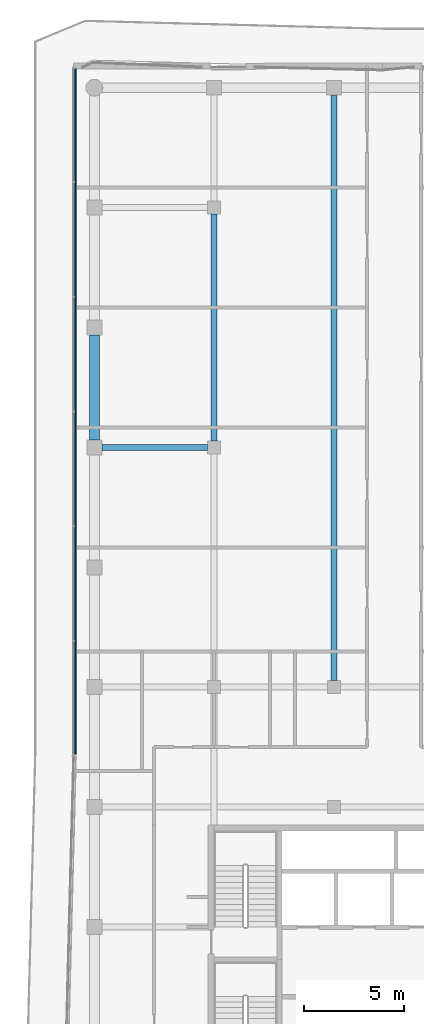
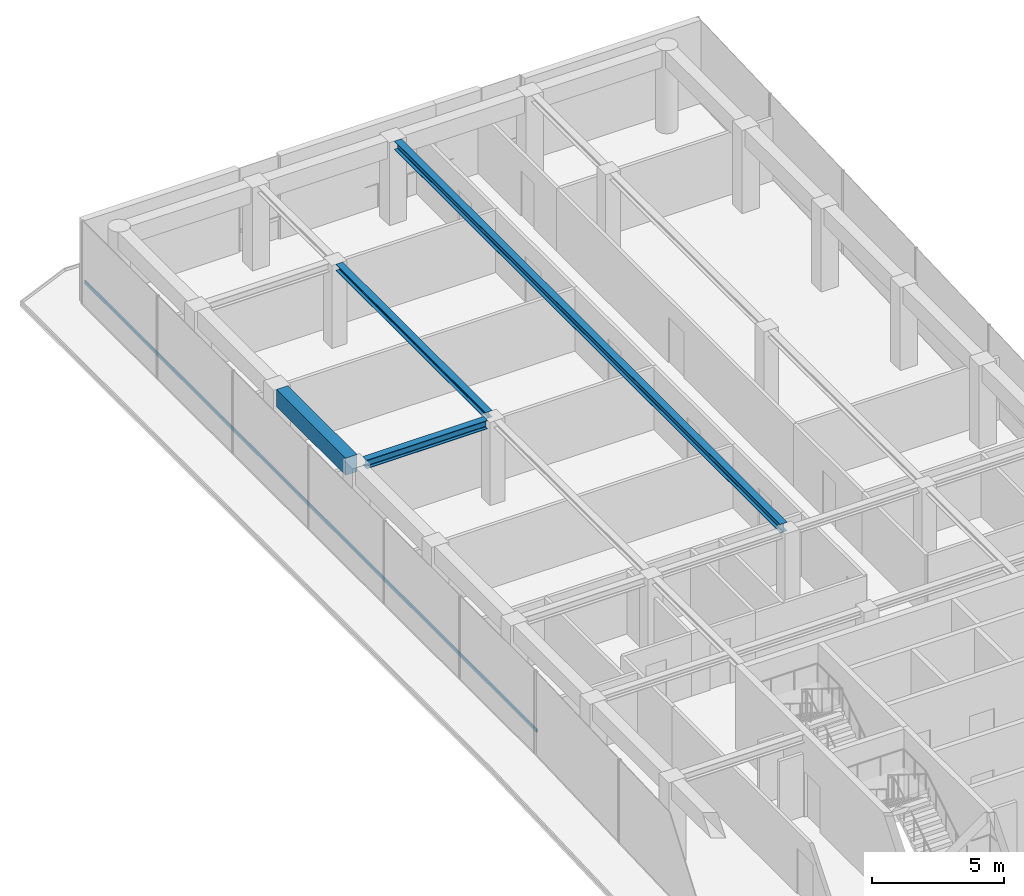
# One storey, part 9 of 18: 4 beams, 1 member, 1 element without a shape of its own.
"""IFC4 building model written with IfcOpenShell, lengths in metres."""

from ifc_helpers import new_model, si_unit, direction, frame, origin, origin_2d, place, context, subcontext, project, spatial, rectangle, i_section, extrude, material, layer, layer_set, material_profile, profile_set, type_object, element, aggregate, save


model = new_model("IFC4")

# Units and contexts
model_context = context("Model", 3, precision=1e-05, world=origin(), true_north=direction((0.0, 1.0)))
body_context = subcontext(model_context, "Body", "Model", "MODEL_VIEW")
ifc_project = project(units=[si_unit("LENGTHUNIT", "METRE"), si_unit("AREAUNIT", "SQUARE_METRE"), si_unit("VOLUMEUNIT", "CUBIC_METRE"), si_unit("PLANEANGLEUNIT", "RADIAN"), si_unit("MASSUNIT", "GRAM", prefix="KILO")], contexts=[model_context])

# Site, building, storey
site_placement = place(None, origin())
site = spatial("IfcSite", under=ifc_project, at=site_placement, CompositionType="ELEMENT")
building_placement = place(site_placement, origin())
building = spatial("IfcBuilding", under=site, at=building_placement, Name="Welwitschia Terrace Campus", CompositionType="ELEMENT")
storey_placement = place(building_placement, frame((0.0, 0.0, 281.0)))
storey = spatial("IfcBuildingStorey", under=building, at=storey_placement, Name="L62", CompositionType="ELEMENT", Elevation=281.0)

# Beams
ifc_material_1 = material(Name="Steel S355", Category="steel")
ifc_material_profile_1 = material_profile(ifc_material_1, i_section(OverallWidth=0.300048828125, OverallDepth=0.300048828125, WebThickness=0.010986328125, FlangeThickness=0.01904296875, FilletRadius=0.027099609375, at=origin_2d()))
ifc_profile_set_1 = profile_set([ifc_material_profile_1], Name="Steel S355")
beam_type_1 = type_object("IfcBeamType", Name="Interior girder HE 300 B", PredefinedType="BEAM", material=ifc_profile_set_1)
beam_1_placement = place(storey_placement, frame((6.0, 44.325439453125, 3.699951171875), z_axis=(0.0, 1.0, 0.0), x_axis=(-1.0, 0.0, 0.0)))
element("IfcBeam", 1, at=beam_1_placement, inside=storey, type_object=beam_type_1, Name="Girder GB6", PredefinedType="BEAM", context=body_context, shape_type="SweptSolid", body=[
    extrude(i_section(OverallWidth=0.300048828125, OverallDepth=0.300048828125, WebThickness=0.010986328125, FlangeThickness=0.01904296875, FilletRadius=0.027099609375, at=origin_2d()), origin(), (0.0, 0.0, 1.0), 11.34912109375),
])
ifc_material_2 = material(Name="Steel S355", Category="steel")
ifc_material_profile_2 = material_profile(ifc_material_2, i_section(OverallWidth=0.300048828125, OverallDepth=0.39990234375, WebThickness=0.013427734375, FlangeThickness=0.02392578125, FilletRadius=0.027099609375, at=origin_2d()))
ifc_profile_set_2 = profile_set([ifc_material_profile_2], Name="Steel S355")
beam_type_2 = type_object("IfcBeamType", Name="Primary beam HE 400 B", PredefinedType="BEAM", material=ifc_profile_set_2)
beam_2_placement = place(storey_placement, frame((12.0, 61.62451171875, 3.64990234375), z_axis=(0.0, -1.0, 0.0), x_axis=(1.0, 0.0, 0.0)))
element("IfcBeam", 2, at=beam_2_placement, inside=storey, type_object=beam_type_2, Name="Primary beam PB6", PredefinedType="BEAM", context=body_context, shape_type="SweptSolid", body=[
    extrude(i_section(OverallWidth=0.300048828125, OverallDepth=0.39990234375, WebThickness=0.013427734375, FlangeThickness=0.02392578125, FilletRadius=0.027099609375, at=origin_2d()), origin(), (0.0, 0.0, 1.0), 29.299072265625),
])
beam_3_placement = place(storey_placement, frame((0.37548828125, 44.0, 3.64990234375), z_axis=(1.0, 0.0, 0.0), x_axis=(0.0, 1.0, 0.0)))
element("IfcBeam", 3, at=beam_3_placement, inside=storey, type_object=beam_type_2, Name="Primary beam PB6", PredefinedType="BEAM", context=body_context, shape_type="SweptSolid", body=[
    extrude(i_section(OverallWidth=0.300048828125, OverallDepth=0.39990234375, WebThickness=0.013427734375, FlangeThickness=0.02392578125, FilletRadius=0.027099609375, at=origin_2d()), origin(), (0.0, 0.0, 1.0), 5.299072265625),
])
ifc_material_3 = material(Name="Concrete C50/60", Category="concrete")
ifc_material_profile_3 = material_profile(ifc_material_3, rectangle(XDim=0.5, YDim=0.800048828125, at=origin_2d()))
ifc_profile_set_3 = profile_set([ifc_material_profile_3], Name="Concrete C50/60")
beam_type_3 = type_object("IfcBeamType", Name="Ring spandrel 500x800", PredefinedType="SPANDREL", material=ifc_profile_set_3)
beam_4_placement = place(storey_placement, frame((0.0, 49.62451171875, 3.449951171875), z_axis=(0.0, -1.0, 0.0), x_axis=(1.0, 0.0, 0.0)))
element("IfcBeam", 4, at=beam_4_placement, inside=storey, type_object=beam_type_3, Name="Spandrel SP4", PredefinedType="SPANDREL", context=body_context, shape_type="SweptSolid", body=[
    extrude(rectangle(XDim=0.5, YDim=0.800048828125, at=origin_2d()), origin(), (0.0, 0.0, 1.0), 5.2490234375),
])

# Curtain wall, member
ifc_material_4 = material(Name="Bronze anodised aluminium", Category="aluminium")
ifc_layer = layer(ifc_material_4, 0.1201171875)
ifc_layer_set = layer_set([ifc_layer], Name="Bronze anodised aluminium")
curtain_wall_type = type_object("IfcCurtainWallType", Name="Curtain wall CW2 tower 6000", PredefinedType="NOTDEFINED", material=ifc_layer_set)
curtain_wall_placement = place(storey_placement, origin())
curtain_wall = element("IfcCurtainWall", 5, at=curtain_wall_placement, inside=storey, type_object=curtain_wall_type, Name="CW L62.0.0", PredefinedType="NOTDEFINED")
ifc_material_5 = material(Name="Bronze anodised aluminium", Category="aluminium")
ifc_material_profile_4 = material_profile(ifc_material_5, rectangle(XDim=0.06005859375, YDim=0.14990234375, at=origin_2d()))
ifc_profile_set_4 = profile_set([ifc_material_profile_4], Name="Bronze anodised aluminium")
member_type = type_object("IfcMemberType", Name="Transom 60x150", PredefinedType="USERDEFINED", material=ifc_profile_set_4)
member_placement = place(storey_placement, frame((-0.93994140625, 62.9599609375, 1.0), z_axis=(0.0, -1.0, 0.0), x_axis=(1.0, 0.0, 0.0)))
member = element("IfcMember", 6, at=member_placement, type_object=member_type, Name="Transom L62.0.0", ObjectType="TRANSOM", PredefinedType="USERDEFINED", context=body_context, shape_type="SweptSolid", body=[
    extrude(rectangle(XDim=0.06005859375, YDim=0.14990234375, at=origin_2d()), origin(), (0.0, 0.0, 1.0), 34.3154296875),
])
aggregate(curtain_wall, [member])

save(model, "model.ifc")
